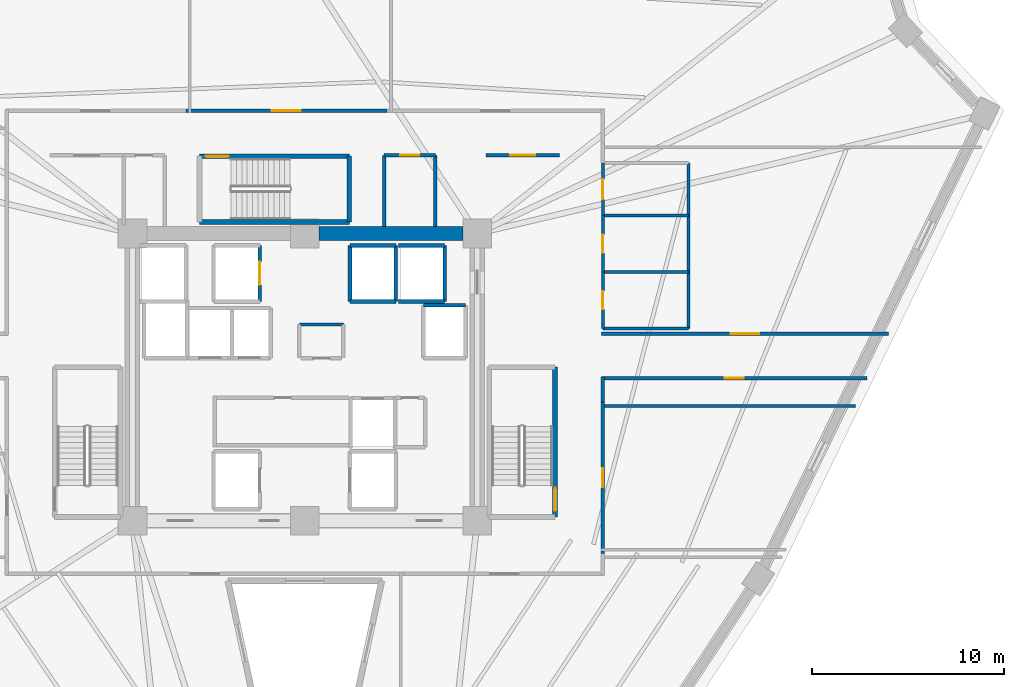
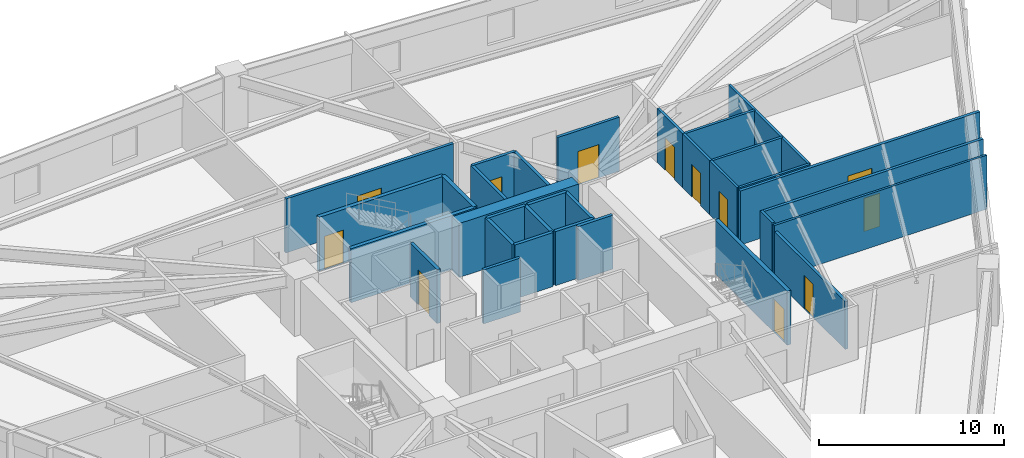
# One storey, part 6 of 8: 32 walls, 12 doors, 12 openings.
"""IFC4 building model written with IfcOpenShell, lengths in metres."""

from ifc_helpers import new_model, si_unit, direction, frame, frame_2d, origin, place, context, subcontext, project, spatial, rectangle, extrude, source, transform, mapped, material, layer, layer_set, type_object, element, fill, save


model = new_model("IFC4")

# Units and contexts
model_context = context("Model", 3, precision=1e-05, world=origin(), true_north=direction((0.0, 1.0)))
body_context = subcontext(model_context, "Body", "Model", "MODEL_VIEW")
ifc_project = project(units=[si_unit("LENGTHUNIT", "METRE"), si_unit("AREAUNIT", "SQUARE_METRE"), si_unit("VOLUMEUNIT", "CUBIC_METRE"), si_unit("PLANEANGLEUNIT", "RADIAN"), si_unit("MASSUNIT", "GRAM", prefix="KILO")], contexts=[model_context])

# Site, building, storey
site_placement = place(None, origin())
site = spatial("IfcSite", under=ifc_project, at=site_placement, CompositionType="ELEMENT")
building_placement = place(site_placement, origin())
building = spatial("IfcBuilding", under=site, at=building_placement, Name="Liaohun Quay Tower", CompositionType="ELEMENT")
storey_placement = place(building_placement, frame((0.0, 0.0, 151.5)))
storey = spatial("IfcBuildingStorey", under=building, at=storey_placement, Name="L39", CompositionType="ELEMENT", Elevation=151.5)

# Wall
ifc_material_1 = material(Name="Concrete C60", Category="concrete")
ifc_layer_1 = layer(ifc_material_1, 0.75, Name="Concrete C60", Category="concrete")
ifc_layer_set_1 = layer_set([ifc_layer_1], Name="Concrete C60")
wall_type_1 = type_object("IfcWallType", Name="WAL-COR-Z2", PredefinedType="SHEAR", material=ifc_layer_set_1)
wall_1_placement = place(storey_placement, frame((60.75, 61.5, 0.0), z_axis=(0.0, 0.0, 1.0), x_axis=(1.0, 0.0, 0.0)))
element("IfcWall", 1, at=wall_1_placement, inside=storey, type_object=wall_type_1, Name="L39 Central Core Shear Wall N-E", PredefinedType="SHEAR", context=body_context, shape_type="SweptSolid", body=[
    extrude(rectangle(XDim=7.5, YDim=0.75, at=frame_2d((3.75, 0.0))), origin(), (0.0, 0.0, 1.0), 3.570068359375),
])

# Wall, opening, door
ifc_material_2 = material(Name="Autoclaved aerated concrete blockwork", Category="masonry")
ifc_layer_2 = layer(ifc_material_2, 0.179931640625, Name="Autoclaved aerated concrete blockwork", Category="masonry")
ifc_layer_set_2 = layer_set([ifc_layer_2], Name="Autoclaved aerated concrete blockwork")
wall_type_2 = type_object("IfcWallType", Name="WAL-PRT-COR", PredefinedType="PARTITIONING", material=ifc_layer_set_2)
wall_2_placement = place(storey_placement, frame((64.139892578125, 65.580078125, 0.0), z_axis=(0.0, 0.0, 1.0), x_axis=(1.0, 0.0, 0.0)))
wall_2 = element("IfcWall", 2, at=wall_2_placement, inside=storey, type_object=wall_type_2, Name="L39 Interior Partition Wall 008", PredefinedType="PARTITIONING", context=body_context, shape_type="SweptSolid", body=[
    extrude(rectangle(XDim=2.670166015625, YDim=0.179931640625, at=frame_2d((1.3349609375, 0.0))), origin(), (0.0, 0.0, 1.0), 3.570068359375),
])
shared_shape_1 = source(origin(), body_context, "Body", "SweptSolid", [
    extrude(rectangle(XDim=1.0, YDim=2.199951171875, at=frame_2d((0.5, 1.10009765625))), frame((0.0, 0.099853515625, 0.0), z_axis=(0.0, -1.0, 0.0), x_axis=(1.0, 0.0, 0.0)), (0.0, 0.0, 1.0), 0.199951171875),
])
opening_1_placement = place(wall_2_placement, frame((0.8349609375, 0.0, 0.0)))
opening_1 = element("IfcOpeningElement", 3, at=opening_1_placement, cuts=wall_2, Name="Opening OD1", PredefinedType="OPENING", context=body_context, shape_type="MappedRepresentation", body=[
    mapped(shared_shape_1, transform((0.0, 0.0, 0.0), x_axis=(1.0, 0.0, 0.0), y_axis=(0.0, 1.0, 0.0), z_axis=(0.0, 0.0, 1.0), scale=1.0)),
])
ifc_material_3 = material(Name="Solid-core oak veneer timber leaf in steel frame", Category="steel")
door_type_1 = type_object("IfcDoorType", Name="DOR-OFF-1000", OperationType="NOTDEFINED", PredefinedType="DOOR", material=ifc_material_3)
shared_shape_2 = source(origin(), body_context, "Body", "SweptSolid", [
    extrude(rectangle(XDim=1.0, YDim=2.199951171875, at=frame_2d((0.5, 1.10009765625))), frame((0.0, 0.02490234375, 0.0), z_axis=(0.0, -1.0, 0.0), x_axis=(1.0, 0.0, 0.0)), (0.0, 0.0, 1.0), 0.050048828125),
])
door_1_placement = place(opening_1_placement, origin())
door_1 = element("IfcDoor", 4, at=door_1_placement, inside=storey, type_object=door_type_1, Name="L39 North-East Server Closet Door", OperationType="SINGLE_SWING_LEFT", OverallHeight=2.199951171875, OverallWidth=1.0, PredefinedType="DOOR", context=body_context, shape_type="MappedRepresentation", body=[
    mapped(shared_shape_2, transform((0.0, 0.0, 0.0), x_axis=(1.0, 0.0, 0.0), y_axis=(0.0, 1.0, 0.0), z_axis=(0.0, 0.0, 1.0), scale=1.0)),
])
fill(opening_1, door_1)

wall_3_placement = place(storey_placement, frame((69.4599609375, 65.580078125, 0.0), z_axis=(0.0, 0.0, 1.0), x_axis=(1.0, 0.0, 0.0)))
wall_3 = element("IfcWall", 5, at=wall_3_placement, inside=storey, type_object=wall_type_2, Name="L39 Interior Partition Wall 010", PredefinedType="PARTITIONING", context=body_context, shape_type="SweptSolid", body=[
    extrude(rectangle(XDim=3.840087890625, YDim=0.179931640625, at=frame_2d((1.919921875, 0.0))), origin(), (0.0, 0.0, 1.0), 3.570068359375),
])
shared_shape_3 = source(origin(), body_context, "Body", "SweptSolid", [
    extrude(rectangle(XDim=1.300048828125, YDim=2.199951171875, at=frame_2d((0.64990234375, 1.10009765625))), frame((0.0, 0.099853515625, 0.0), z_axis=(0.0, -1.0, 0.0), x_axis=(1.0, 0.0, 0.0)), (0.0, 0.0, 1.0), 0.199951171875),
])
opening_2_placement = place(wall_3_placement, frame((1.27001953125, 0.0, 0.0)))
opening_2 = element("IfcOpeningElement", 6, at=opening_2_placement, cuts=wall_3, Name="Opening FD1", PredefinedType="OPENING", context=body_context, shape_type="MappedRepresentation", body=[
    mapped(shared_shape_3, transform((0.0, 0.0, 0.0), x_axis=(1.0, 0.0, 0.0), y_axis=(0.0, 1.0, 0.0), z_axis=(0.0, 0.0, 1.0), scale=1.0)),
])
ifc_material_4 = material(Name="Galvanised steel smokeproof fire door", Category="steel")
door_type_2 = type_object("IfcDoorType", Name="DOR-FFL-1300", OperationType="NOTDEFINED", PredefinedType="DOOR", material=ifc_material_4)
shared_shape_4 = source(origin(), body_context, "Body", "SweptSolid", [
    extrude(rectangle(XDim=1.300048828125, YDim=2.199951171875, at=frame_2d((0.64990234375, 1.10009765625))), frame((0.0, 0.02490234375, 0.0), z_axis=(0.0, -1.0, 0.0), x_axis=(1.0, 0.0, 0.0)), (0.0, 0.0, 1.0), 0.050048828125),
])
door_2_placement = place(opening_2_placement, origin())
door_2 = element("IfcDoor", 7, at=door_2_placement, inside=storey, type_object=door_type_2, Name="L39 East Core Vestibule Door", OperationType="SINGLE_SWING_LEFT", OverallHeight=2.199951171875, OverallWidth=1.300048828125, PredefinedType="DOOR", context=body_context, shape_type="MappedRepresentation", body=[
    mapped(shared_shape_4, transform((0.0, 0.0, 0.0), x_axis=(1.0, 0.0, 0.0), y_axis=(0.0, 1.0, 0.0), z_axis=(0.0, 0.0, 1.0), scale=1.0)),
])
fill(opening_2, door_2)

wall_4_placement = place(storey_placement, frame((75.489990234375, 56.260009765625, 0.0), z_axis=(0.0, 0.0, 1.0), x_axis=(1.0, 0.0, 0.0)))
wall_4 = element("IfcWall", 8, at=wall_4_placement, inside=storey, type_object=wall_type_2, Name="L39 Interior Partition Wall 011", PredefinedType="PARTITIONING", context=body_context, shape_type="SweptSolid", body=[
    extrude(rectangle(XDim=14.98095703125, YDim=0.179931640625, at=frame_2d((7.490478515625, 0.0))), origin(), (0.0, 0.0, 1.0), 3.570068359375),
])
shared_shape_5 = source(origin(), body_context, "Body", "SweptSolid", [
    extrude(rectangle(XDim=1.5, YDim=2.199951171875, at=frame_2d((0.75, 1.10009765625))), frame((0.0, 0.099853515625, 0.0), z_axis=(0.0, -1.0, 0.0), x_axis=(1.0, 0.0, 0.0)), (0.0, 0.0, 1.0), 0.199951171875),
])
opening_3_placement = place(wall_4_placement, frame((6.740966796875, 0.0, 0.0)))
opening_3 = element("IfcOpeningElement", 9, at=opening_3_placement, cuts=wall_4, Name="Opening OD2", PredefinedType="OPENING", context=body_context, shape_type="MappedRepresentation", body=[
    mapped(shared_shape_5, transform((0.0, 0.0, 0.0), x_axis=(1.0, 0.0, 0.0), y_axis=(0.0, 1.0, 0.0), z_axis=(0.0, 0.0, 1.0), scale=1.0)),
])
ifc_material_5 = material(Name="Acoustic oak veneer double door")
door_type_3 = type_object("IfcDoorType", Name="DOR-OFF-1500", OperationType="DOUBLE_DOOR_SINGLE_SWING", PredefinedType="DOOR", material=ifc_material_5)
shared_shape_6 = source(origin(), body_context, "Body", "SweptSolid", [
    extrude(rectangle(XDim=1.5, YDim=2.199951171875, at=frame_2d((0.75, 1.10009765625))), frame((0.0, 0.02490234375, 0.0), z_axis=(0.0, -1.0, 0.0), x_axis=(1.0, 0.0, 0.0)), (0.0, 0.0, 1.0), 0.050048828125),
])
door_3_placement = place(opening_3_placement, origin())
door_3 = element("IfcDoor", 10, at=door_3_placement, inside=storey, type_object=door_type_3, Name="L39 Technical Reference Library 01 Door", OperationType="DOUBLE_DOOR_SINGLE_SWING", OverallHeight=2.199951171875, OverallWidth=1.5, PredefinedType="DOOR", context=body_context, shape_type="MappedRepresentation", body=[
    mapped(shared_shape_6, transform((0.0, 0.0, 0.0), x_axis=(1.0, 0.0, 0.0), y_axis=(0.0, 1.0, 0.0), z_axis=(0.0, 0.0, 1.0), scale=1.0)),
])
fill(opening_3, door_3)

wall_5_placement = place(storey_placement, frame((53.784912109375, 67.909912109375, 0.0), z_axis=(0.0, 0.0, 1.0), x_axis=(1.0, 0.0, 0.0)))
wall_5 = element("IfcWall", 11, at=wall_5_placement, inside=storey, type_object=wall_type_2, Name="L39 Interior Partition Wall 013", PredefinedType="PARTITIONING", context=body_context, shape_type="SweptSolid", body=[
    extrude(rectangle(XDim=10.5, YDim=0.179931640625, at=frame_2d((5.25, 0.0))), origin(), (0.0, 0.0, 1.0), 3.570068359375),
])
opening_4_placement = place(wall_5_placement, frame((4.5, 0.0, 0.0)))
opening_4 = element("IfcOpeningElement", 12, at=opening_4_placement, cuts=wall_5, Name="Opening OD2", PredefinedType="OPENING", context=body_context, shape_type="MappedRepresentation", body=[
    mapped(shared_shape_5, transform((0.0, 0.0, 0.0), x_axis=(1.0, 0.0, 0.0), y_axis=(0.0, 1.0, 0.0), z_axis=(0.0, 0.0, 1.0), scale=1.0)),
])
door_4_placement = place(opening_4_placement, origin())
door_4 = element("IfcDoor", 13, at=door_4_placement, inside=storey, type_object=door_type_3, Name="L39 Technical Reference Library 03 Door", OperationType="DOUBLE_DOOR_SINGLE_SWING", OverallHeight=2.199951171875, OverallWidth=1.5, PredefinedType="DOOR", context=body_context, shape_type="MappedRepresentation", body=[
    mapped(shared_shape_6, transform((0.0, 0.0, 0.0), x_axis=(1.0, 0.0, 0.0), y_axis=(0.0, 1.0, 0.0), z_axis=(0.0, 0.0, 1.0), scale=1.0)),
])
fill(opening_4, door_4)

wall_6_placement = place(storey_placement, frame((75.56005859375, 52.715087890625, 0.0), z_axis=(0.0, 0.0, 1.0), x_axis=(0.0, -1.0, 0.0)))
wall_6 = element("IfcWall", 14, at=wall_6_placement, inside=storey, type_object=wall_type_2, Name="L39 Interior Partition Wall 020", PredefinedType="PARTITIONING", context=body_context, shape_type="SweptSolid", body=[
    extrude(rectangle(XDim=7.93017578125, YDim=0.179931640625, at=frame_2d((3.965087890625, 0.0))), origin(), (0.0, 0.0, 1.0), 3.155029296875),
])
opening_5_placement = place(wall_6_placement, frame((3.465087890625, 0.0, 0.0)))
opening_5 = element("IfcOpeningElement", 15, at=opening_5_placement, cuts=wall_6, Name="Opening OD1", PredefinedType="OPENING", context=body_context, shape_type="MappedRepresentation", body=[
    mapped(shared_shape_1, transform((0.0, 0.0, 0.0), x_axis=(1.0, 0.0, 0.0), y_axis=(0.0, 1.0, 0.0), z_axis=(0.0, 0.0, 1.0), scale=1.0)),
])
door_5_placement = place(opening_5_placement, origin())
door_5 = element("IfcDoor", 16, at=door_5_placement, inside=storey, type_object=door_type_1, Name="L39 Open-Plan Office Workplace 10 Door", OperationType="SINGLE_SWING_LEFT", OverallHeight=2.199951171875, OverallWidth=1.0, PredefinedType="DOOR", context=body_context, shape_type="MappedRepresentation", body=[
    mapped(shared_shape_2, transform((0.0, 0.0, 0.0), x_axis=(1.0, 0.0, 0.0), y_axis=(0.0, 1.0, 0.0), z_axis=(0.0, 0.0, 1.0), scale=1.0)),
])
fill(opening_5, door_5)

wall_7_placement = place(storey_placement, frame((89.343017578125, 53.93994140625, 0.0), z_axis=(0.0, 0.0, 1.0), x_axis=(-1.0, 0.0, 0.0)))
wall_7 = element("IfcWall", 17, at=wall_7_placement, inside=storey, type_object=wall_type_2, Name="L39 Interior Partition Wall 021", PredefinedType="PARTITIONING", context=body_context, shape_type="SweptSolid", body=[
    extrude(rectangle(XDim=13.85302734375, YDim=0.179931640625, at=frame_2d((6.926513671875, 0.0))), origin(), (0.0, 0.0, 1.0), 3.570068359375),
])
opening_6_placement = place(wall_7_placement, frame((6.427001953125, 0.0, 0.0)))
opening_6 = element("IfcOpeningElement", 18, at=opening_6_placement, cuts=wall_7, Name="Opening OD1", PredefinedType="OPENING", context=body_context, shape_type="MappedRepresentation", body=[
    mapped(shared_shape_1, transform((0.0, 0.0, 0.0), x_axis=(1.0, 0.0, 0.0), y_axis=(0.0, 1.0, 0.0), z_axis=(0.0, 0.0, 1.0), scale=1.0)),
])
door_6_placement = place(opening_6_placement, origin())
door_6 = element("IfcDoor", 19, at=door_6_placement, inside=storey, type_object=door_type_1, Name="L39 Executive Partner Office 11 Door", OperationType="SINGLE_SWING_RIGHT", OverallHeight=2.199951171875, OverallWidth=1.0, PredefinedType="DOOR", context=body_context, shape_type="MappedRepresentation", body=[
    mapped(shared_shape_2, transform((0.0, 0.0, 0.0), x_axis=(1.0, 0.0, 0.0), y_axis=(0.0, 1.0, 0.0), z_axis=(0.0, 0.0, 1.0), scale=1.0)),
])
fill(opening_6, door_6)

# Walls
wall_8_placement = place(storey_placement, frame((59.719970703125, 56.75, 0.0), z_axis=(0.0, 0.0, 1.0), x_axis=(1.0, 0.0, 0.0)))
element("IfcWall", 20, at=wall_8_placement, inside=storey, type_object=wall_type_2, Name="L39 Interior Partition Wall 024", PredefinedType="PARTITIONING", context=body_context, shape_type="SweptSolid", body=[
    extrude(rectangle(XDim=2.2900390625, YDim=0.179931640625, at=frame_2d((1.14501953125, 0.0))), origin(), (0.0, 0.0, 1.0), 3.570068359375),
])
for number, where, z_axis, x_axis, name in (
    (21, (64.139892578125, 61.875, 0.0), (0.0, 0.0, 1.0), (0.0, 1.0, 0.0), "L39 Interior Partition Wall 034"),
    (22, (66.81005859375, 61.875, 0.0), (0.0, 0.0, 1.0), (0.0, 1.0, 0.0), "L39 Interior Partition Wall 035"),
):
    element("IfcWall", number, at=place(storey_placement, frame(where, z_axis=z_axis, x_axis=x_axis)), inside=storey, type_object=wall_type_2, Name=name, PredefinedType="PARTITIONING", context=body_context, shape_type="SweptSolid", body=[
        extrude(rectangle(XDim=3.705078125, YDim=0.179931640625, at=frame_2d((1.8525390625, 0.0))), origin(), (0.0, 0.0, 1.0), 3.570068359375),
    ])
wall_9_placement = place(storey_placement, frame((75.56005859375, 54.010009765625, 0.0), z_axis=(0.0, 0.0, 1.0), x_axis=(0.0, -1.0, 0.0)))
element("IfcWall", 23, at=wall_9_placement, inside=storey, type_object=wall_type_2, Name="L39 Interior Partition Wall 043", PredefinedType="PARTITIONING", context=body_context, shape_type="SweptSolid", body=[
    extrude(rectangle(XDim=1.294921875, YDim=0.179931640625, at=frame_2d((0.6474609375, 0.0))), origin(), (0.0, 0.0, 1.0), 3.570068359375),
])
ifc_material_6 = material(Name="Gypsum board on twin steel studs", Category="steel")
ifc_layer_3 = layer(ifc_material_6, 0.139892578125, Name="Gypsum board on twin steel studs", Category="steel")
ifc_layer_set_3 = layer_set([ifc_layer_3], Name="Gypsum board on twin steel studs")
wall_type_3 = type_object("IfcWallType", Name="WAL-PRT-OFF", PredefinedType="PARTITIONING", material=ifc_layer_set_3)
wall_10_placement = place(storey_placement, frame((75.4599609375, 52.5, 0.0), z_axis=(0.0, 0.0, 1.0), x_axis=(1.0, 0.0, 0.0)))
element("IfcWall", 24, at=wall_10_placement, inside=storey, type_object=wall_type_3, Name="L39 Interior Partition Wall 049", PredefinedType="PARTITIONING", context=body_context, shape_type="SweptSolid", body=[
    extrude(rectangle(XDim=13.291015625, YDim=0.139892578125, at=frame_2d((6.6455078125, 0.0))), origin(), (0.0, 0.0, 1.0), 3.570068359375),
])

# Wall, opening, door
ifc_material_7 = material(Name="Moisture-resistant masonry blockwork", Category="masonry")
ifc_layer_4 = layer(ifc_material_7, 0.159912109375, Name="Moisture-resistant masonry blockwork", Category="masonry")
ifc_layer_set_4 = layer_set([ifc_layer_4], Name="Moisture-resistant masonry blockwork")
wall_type_4 = type_object("IfcWallType", Name="WAL-PRT-WET", PredefinedType="PARTITIONING", material=ifc_layer_set_4)
wall_11_placement = place(storey_placement, frame((75.56005859375, 56.5400390625, 0.0), z_axis=(0.0, 0.0, 1.0), x_axis=(0.0, 1.0, 0.0)))
wall_11 = element("IfcWall", 25, at=wall_11_placement, inside=storey, type_object=wall_type_4, Name="L39 Interior Partition Wall 004", PredefinedType="PARTITIONING", context=body_context, shape_type="SweptSolid", body=[
    extrude(rectangle(XDim=2.93994140625, YDim=0.159912109375, at=frame_2d((1.469970703125, 0.0))), origin(), (0.0, 0.0, 1.0), 3.570068359375),
])
shared_shape_7 = source(origin(), body_context, "Body", "SweptSolid", [
    extrude(rectangle(XDim=0.949951171875, YDim=2.14990234375, at=frame_2d((0.47509765625, 1.074951171875))), frame((0.0, 0.08984375, 0.0), z_axis=(0.0, -1.0, 0.0), x_axis=(1.0, 0.0, 0.0)), (0.0, 0.0, 1.0), 0.179931640625),
])
opening_7_placement = place(wall_11_placement, frame((0.9951171875, 0.0, 0.0)))
opening_7 = element("IfcOpeningElement", 26, at=opening_7_placement, cuts=wall_11, Name="Opening WD1", PredefinedType="OPENING", context=body_context, shape_type="MappedRepresentation", body=[
    mapped(shared_shape_7, transform((0.0, 0.0, 0.0), x_axis=(1.0, 0.0, 0.0), y_axis=(0.0, 1.0, 0.0), z_axis=(0.0, 0.0, 1.0), scale=1.0)),
])
ifc_material_8 = material(Name="Moisture-resistant laminate timber leaf", Category="wood")
door_type_4 = type_object("IfcDoorType", Name="DOR-WC-950", OperationType="NOTDEFINED", PredefinedType="DOOR", material=ifc_material_8)
shared_shape_8 = source(origin(), body_context, "Body", "SweptSolid", [
    extrude(rectangle(XDim=0.949951171875, YDim=2.14990234375, at=frame_2d((0.47509765625, 1.074951171875))), frame((0.0, 0.02490234375, 0.0), z_axis=(0.0, -1.0, 0.0), x_axis=(1.0, 0.0, 0.0)), (0.0, 0.0, 1.0), 0.050048828125),
])
door_7_placement = place(opening_7_placement, origin())
door_7 = element("IfcDoor", 27, at=door_7_placement, inside=storey, type_object=door_type_4, Name="L39 Male Restroom WC Door", OperationType="SINGLE_SWING_LEFT", OverallHeight=2.14990234375, OverallWidth=0.949951171875, PredefinedType="DOOR", context=body_context, shape_type="MappedRepresentation", body=[
    mapped(shared_shape_8, transform((0.0, 0.0, 0.0), x_axis=(1.0, 0.0, 0.0), y_axis=(0.0, 1.0, 0.0), z_axis=(0.0, 0.0, 1.0), scale=1.0)),
])
fill(opening_7, door_7)

wall_12_placement = place(storey_placement, frame((75.56005859375, 59.47998046875, 0.0), z_axis=(0.0, 0.0, 1.0), x_axis=(0.0, 1.0, 0.0)))
wall_12 = element("IfcWall", 28, at=wall_12_placement, inside=storey, type_object=wall_type_4, Name="L39 Interior Partition Wall 005", PredefinedType="PARTITIONING", context=body_context, shape_type="SweptSolid", body=[
    extrude(rectangle(XDim=2.9599609375, YDim=0.159912109375, at=frame_2d((1.47998046875, 0.0))), origin(), (0.0, 0.0, 1.0), 3.570068359375),
])
opening_8_placement = place(wall_12_placement, frame((1.0048828125, 0.0, 0.0)))
opening_8 = element("IfcOpeningElement", 29, at=opening_8_placement, cuts=wall_12, Name="Opening WD1", PredefinedType="OPENING", context=body_context, shape_type="MappedRepresentation", body=[
    mapped(shared_shape_7, transform((0.0, 0.0, 0.0), x_axis=(1.0, 0.0, 0.0), y_axis=(0.0, 1.0, 0.0), z_axis=(0.0, 0.0, 1.0), scale=1.0)),
])
door_8_placement = place(opening_8_placement, origin())
door_8 = element("IfcDoor", 30, at=door_8_placement, inside=storey, type_object=door_type_4, Name="L39 Female Restroom WC Door", OperationType="SINGLE_SWING_RIGHT", OverallHeight=2.14990234375, OverallWidth=0.949951171875, PredefinedType="DOOR", context=body_context, shape_type="MappedRepresentation", body=[
    mapped(shared_shape_8, transform((0.0, 0.0, 0.0), x_axis=(1.0, 0.0, 0.0), y_axis=(0.0, 1.0, 0.0), z_axis=(0.0, 0.0, 1.0), scale=1.0)),
])
fill(opening_8, door_8)

wall_13_placement = place(storey_placement, frame((75.56005859375, 62.43994140625, 0.0), z_axis=(0.0, 0.0, 1.0), x_axis=(0.0, 1.0, 0.0)))
wall_13 = element("IfcWall", 31, at=wall_13_placement, inside=storey, type_object=wall_type_4, Name="L39 Interior Partition Wall 006", PredefinedType="PARTITIONING", context=body_context, shape_type="SweptSolid", body=[
    extrude(rectangle(XDim=2.739990234375, YDim=0.159912109375, at=frame_2d((1.3701171875, 0.0))), origin(), (0.0, 0.0, 1.0), 3.570068359375),
])
shared_shape_9 = source(origin(), body_context, "Body", "SweptSolid", [
    extrude(rectangle(XDim=1.050048828125, YDim=2.14990234375, at=frame_2d((0.52490234375, 1.074951171875))), frame((0.0, 0.08984375, 0.0), z_axis=(0.0, -1.0, 0.0), x_axis=(1.0, 0.0, 0.0)), (0.0, 0.0, 1.0), 0.179931640625),
])
opening_9_placement = place(wall_13_placement, frame((0.844970703125, 0.0, 0.0)))
opening_9 = element("IfcOpeningElement", 32, at=opening_9_placement, cuts=wall_13, Name="Opening WD2", PredefinedType="OPENING", context=body_context, shape_type="MappedRepresentation", body=[
    mapped(shared_shape_9, transform((0.0, 0.0, 0.0), x_axis=(1.0, 0.0, 0.0), y_axis=(0.0, 1.0, 0.0), z_axis=(0.0, 0.0, 1.0), scale=1.0)),
])
ifc_material_9 = material(Name="Accessible outward-swinging laminate door")
door_type_5 = type_object("IfcDoorType", Name="DOR-AWC-1050", OperationType="NOTDEFINED", PredefinedType="DOOR", material=ifc_material_9)
shared_shape_10 = source(origin(), body_context, "Body", "SweptSolid", [
    extrude(rectangle(XDim=1.050048828125, YDim=2.14990234375, at=frame_2d((0.52490234375, 1.074951171875))), frame((0.0, 0.02490234375, 0.0), z_axis=(0.0, -1.0, 0.0), x_axis=(1.0, 0.0, 0.0)), (0.0, 0.0, 1.0), 0.050048828125),
])
door_9_placement = place(opening_9_placement, origin())
door_9 = element("IfcDoor", 33, at=door_9_placement, inside=storey, type_object=door_type_5, Name="L39 Accessible WC Door", OperationType="SINGLE_SWING_LEFT", OverallHeight=2.14990234375, OverallWidth=1.050048828125, PredefinedType="DOOR", context=body_context, shape_type="MappedRepresentation", body=[
    mapped(shared_shape_10, transform((0.0, 0.0, 0.0), x_axis=(1.0, 0.0, 0.0), y_axis=(0.0, 1.0, 0.0), z_axis=(0.0, 0.0, 1.0), scale=1.0)),
])
fill(opening_9, door_9)

# Walls
wall_14_placement = place(storey_placement, frame((80.02001953125, 56.5400390625, 0.0), z_axis=(0.0, 0.0, 1.0), x_axis=(0.0, 1.0, 0.0)))
element("IfcWall", 34, at=wall_14_placement, inside=storey, type_object=wall_type_4, Name="L39 Interior Partition Wall 027", PredefinedType="PARTITIONING", context=body_context, shape_type="SweptSolid", body=[
    extrude(rectangle(XDim=8.639892578125, YDim=0.159912109375, at=frame_2d((4.31982421875, 0.0))), origin(), (0.0, 0.0, 1.0), 3.570068359375),
])
for number, where, z_axis, x_axis, name in (
    (35, (75.56005859375, 56.5400390625, 0.0), (0.0, 0.0, 1.0), (1.0, 0.0, 0.0), "L39 Interior Partition Wall 028"),
    (36, (75.56005859375, 59.47998046875, 0.0), (0.0, 0.0, 1.0), (1.0, 0.0, 0.0), "L39 Interior Partition Wall 029"),
    (37, (75.56005859375, 62.43994140625, 0.0), (0.0, 0.0, 1.0), (1.0, 0.0, 0.0), "L39 Interior Partition Wall 030"),
):
    element("IfcWall", number, at=place(storey_placement, frame(where, z_axis=z_axis, x_axis=x_axis)), inside=storey, type_object=wall_type_4, Name=name, PredefinedType="PARTITIONING", context=body_context, shape_type="SweptSolid", body=[
        extrude(rectangle(XDim=4.4599609375, YDim=0.159912109375, at=frame_2d((2.22998046875, 0.0))), origin(), (0.0, 0.0, 1.0), 3.570068359375),
    ])

# Wall, opening, door
ifc_material_10 = material(Name="Concrete C50", Category="concrete")
ifc_layer_5 = layer(ifc_material_10, 0.239990234375, Name="Concrete C50", Category="concrete")
ifc_layer_set_5 = layer_set([ifc_layer_5], Name="Concrete C50")
wall_type_5 = type_object("IfcWallType", Name="WAL-SHF-200", PredefinedType="SOLIDWALL", material=ifc_layer_set_5)
wall_15_placement = place(storey_placement, frame((73.06005859375, 46.699951171875, 0.0), z_axis=(0.0, 0.0, 1.0), x_axis=(0.0, 1.0, 0.0)))
wall_15 = element("IfcWall", 38, at=wall_15_placement, inside=storey, type_object=wall_type_5, Name="L39 Stairwell ST-2 Structural Core Wall E", PredefinedType="SOLIDWALL", context=body_context, shape_type="SweptSolid", body=[
    extrude(rectangle(XDim=7.820068359375, YDim=0.239990234375, at=frame_2d((3.91015625, 0.0))), origin(), (0.0, 0.0, 1.0), 3.570068359375),
])
shared_shape_11 = source(origin(), body_context, "Body", "SweptSolid", [
    extrude(rectangle(XDim=1.199951171875, YDim=2.199951171875, at=frame_2d((0.60009765625, 1.10009765625))), frame((0.0, 0.1298828125, 0.0), z_axis=(0.0, -1.0, 0.0), x_axis=(1.0, 0.0, 0.0)), (0.0, 0.0, 1.0), 0.260009765625),
])
opening_10_placement = place(wall_15_placement, frame((0.320068359375, 0.0, 0.0)))
opening_10 = element("IfcOpeningElement", 39, at=opening_10_placement, cuts=wall_15, Name="Opening SD1", PredefinedType="OPENING", context=body_context, shape_type="MappedRepresentation", body=[
    mapped(shared_shape_11, transform((0.0, 0.0, 0.0), x_axis=(1.0, 0.0, 0.0), y_axis=(0.0, 1.0, 0.0), z_axis=(0.0, 0.0, 1.0), scale=1.0)),
])
ifc_material_11 = material(Name="Galvanised steel fire door", Category="steel")
door_type_6 = type_object("IfcDoorType", Name="DOR-STR-1200", OperationType="NOTDEFINED", PredefinedType="DOOR", material=ifc_material_11)
shared_shape_12 = source(origin(), body_context, "Body", "SweptSolid", [
    extrude(rectangle(XDim=1.199951171875, YDim=2.199951171875, at=frame_2d((0.60009765625, 1.10009765625))), frame((0.0, 0.02490234375, 0.0), z_axis=(0.0, -1.0, 0.0), x_axis=(1.0, 0.0, 0.0)), (0.0, 0.0, 1.0), 0.050048828125),
])
door_10_placement = place(opening_10_placement, origin())
door_10 = element("IfcDoor", 40, at=door_10_placement, inside=storey, type_object=door_type_6, Name="L39 Protected Stair ST-2 Fire Door", OperationType="SINGLE_SWING_RIGHT", OverallHeight=2.199951171875, OverallWidth=1.199951171875, PredefinedType="DOOR", context=body_context, shape_type="MappedRepresentation", body=[
    mapped(shared_shape_12, transform((0.0, 0.0, 0.0), x_axis=(1.0, 0.0, 0.0), y_axis=(0.0, 1.0, 0.0), z_axis=(0.0, 0.0, 1.0), scale=1.0)),
])
fill(opening_10, door_10)

# Walls
wall_16_placement = place(storey_placement, frame((54.5, 62.10009765625, 0.0), z_axis=(0.0, 0.0, 1.0), x_axis=(1.0, 0.0, 0.0)))
element("IfcWall", 41, at=wall_16_placement, inside=storey, type_object=wall_type_5, Name="L39 Stairwell ST-3 Structural Core Wall S", PredefinedType="SOLIDWALL", context=body_context, shape_type="SweptSolid", body=[
    extrude(rectangle(XDim=7.820068359375, YDim=0.239990234375, at=frame_2d((3.91015625, 0.0))), origin(), (0.0, 0.0, 1.0), 3.570068359375),
])
wall_17_placement = place(storey_placement, frame((62.320068359375, 62.10009765625, 0.0), z_axis=(0.0, 0.0, 1.0), x_axis=(0.0, 1.0, 0.0)))
element("IfcWall", 42, at=wall_17_placement, inside=storey, type_object=wall_type_5, Name="L39 Stairwell ST-3 Structural Core Wall E", PredefinedType="SOLIDWALL", context=body_context, shape_type="SweptSolid", body=[
    extrude(rectangle(XDim=3.43994140625, YDim=0.239990234375, at=frame_2d((1.719970703125, 0.0))), origin(), (0.0, 0.0, 1.0), 3.570068359375),
])

# Wall, opening, door
wall_18_placement = place(storey_placement, frame((62.320068359375, 65.5400390625, 0.0), z_axis=(0.0, 0.0, 1.0), x_axis=(-1.0, 0.0, 0.0)))
wall_18 = element("IfcWall", 43, at=wall_18_placement, inside=storey, type_object=wall_type_5, Name="L39 Stairwell ST-3 Structural Core Wall N", PredefinedType="SOLIDWALL", context=body_context, shape_type="SweptSolid", body=[
    extrude(rectangle(XDim=7.820068359375, YDim=0.239990234375, at=frame_2d((3.91015625, 0.0))), origin(), (0.0, 0.0, 1.0), 3.570068359375),
])
opening_11_placement = place(wall_18_placement, frame((6.300048828125, 0.0, 0.0)))
opening_11 = element("IfcOpeningElement", 44, at=opening_11_placement, cuts=wall_18, Name="Opening SD1", PredefinedType="OPENING", context=body_context, shape_type="MappedRepresentation", body=[
    mapped(shared_shape_11, transform((0.0, 0.0, 0.0), x_axis=(1.0, 0.0, 0.0), y_axis=(0.0, 1.0, 0.0), z_axis=(0.0, 0.0, 1.0), scale=1.0)),
])
door_11_placement = place(opening_11_placement, origin())
door_11 = element("IfcDoor", 45, at=door_11_placement, inside=storey, type_object=door_type_6, Name="L39 Protected Stair ST-3 Fire Door", OperationType="SINGLE_SWING_RIGHT", OverallHeight=2.199951171875, OverallWidth=1.199951171875, PredefinedType="DOOR", context=body_context, shape_type="MappedRepresentation", body=[
    mapped(shared_shape_12, transform((0.0, 0.0, 0.0), x_axis=(1.0, 0.0, 0.0), y_axis=(0.0, 1.0, 0.0), z_axis=(0.0, 0.0, 1.0), scale=1.0)),
])
fill(opening_11, door_11)

wall_19_placement = place(storey_placement, frame((57.64990234375, 57.949951171875, 0.0), z_axis=(0.0, 0.0, 1.0), x_axis=(0.0, 1.0, 0.0)))
wall_19 = element("IfcWall", 46, at=wall_19_placement, inside=storey, type_object=wall_type_5, Name="L39 Lift FF-03 Hoistway Wall E", PredefinedType="SOLIDWALL", context=body_context, shape_type="SweptSolid", body=[
    extrude(rectangle(XDim=2.929931640625, YDim=0.199951171875, at=frame_2d((1.46484375, 0.0))), origin(), (0.0, 0.0, 1.0), 3.570068359375),
])
shared_shape_13 = source(origin(), body_context, "Body", "SweptSolid", [
    extrude(rectangle(XDim=1.199951171875, YDim=2.300048828125, at=frame_2d((0.60009765625, 1.14990234375))), frame((0.0, 0.10986328125, 0.0), z_axis=(0.0, -1.0, 0.0), x_axis=(1.0, 0.0, 0.0)), (0.0, 0.0, 1.0), 0.219970703125),
])
opening_12_placement = place(wall_19_placement, frame((0.864990234375, 0.0, 0.0)))
opening_12 = element("IfcOpeningElement", 47, at=opening_12_placement, cuts=wall_19, Name="Opening LD2", PredefinedType="OPENING", context=body_context, shape_type="MappedRepresentation", body=[
    mapped(shared_shape_13, transform((0.0, 0.0, 0.0), x_axis=(1.0, 0.0, 0.0), y_axis=(0.0, 1.0, 0.0), z_axis=(0.0, 0.0, 1.0), scale=1.0)),
])
ifc_material_12 = material(Name="Brushed stainless steel stretcher landing door", Category="steel")
door_type_7 = type_object("IfcDoorType", Name="DOR-LFT-1200", OperationType="SLIDING_TO_LEFT", PredefinedType="DOOR", material=ifc_material_12)
shared_shape_14 = source(origin(), body_context, "Body", "SweptSolid", [
    extrude(rectangle(XDim=1.199951171875, YDim=2.300048828125, at=frame_2d((0.60009765625, 1.14990234375))), frame((0.0, 0.02490234375, 0.0), z_axis=(0.0, -1.0, 0.0), x_axis=(1.0, 0.0, 0.0)), (0.0, 0.0, 1.0), 0.050048828125),
])
door_12_placement = place(opening_12_placement, origin())
door_12 = element("IfcDoor", 48, at=door_12_placement, inside=storey, type_object=door_type_7, Name="L39 Lift FF-03 Sliding Landing Door", OperationType="SLIDING_TO_LEFT", OverallHeight=2.300048828125, OverallWidth=1.199951171875, PredefinedType="DOOR", context=body_context, shape_type="MappedRepresentation", body=[
    mapped(shared_shape_14, transform((0.0, 0.0, 0.0), x_axis=(1.0, 0.0, 0.0), y_axis=(0.0, 1.0, 0.0), z_axis=(0.0, 0.0, 1.0), scale=1.0)),
])
fill(opening_12, door_12)

# Walls
wall_20_placement = place(storey_placement, frame((62.35009765625, 57.949951171875, 0.0), z_axis=(0.0, 0.0, 1.0), x_axis=(1.0, 0.0, 0.0)))
element("IfcWall", 49, at=wall_20_placement, inside=storey, type_object=wall_type_5, Name="L39 Lift OB-01 Hoistway Wall S", PredefinedType="SOLIDWALL", context=body_context, shape_type="SweptSolid", body=[
    extrude(rectangle(XDim=2.39990234375, YDim=0.199951171875, at=frame_2d((1.199951171875, 0.0))), origin(), (0.0, 0.0, 1.0), 3.570068359375),
])
wall_21_placement = place(storey_placement, frame((64.75, 57.949951171875, 0.0), z_axis=(0.0, 0.0, 1.0), x_axis=(0.0, 1.0, 0.0)))
element("IfcWall", 50, at=wall_21_placement, inside=storey, type_object=wall_type_5, Name="L39 Lift OB-01 Hoistway Wall E", PredefinedType="SOLIDWALL", context=body_context, shape_type="SweptSolid", body=[
    extrude(rectangle(XDim=2.929931640625, YDim=0.199951171875, at=frame_2d((1.46484375, 0.0))), origin(), (0.0, 0.0, 1.0), 3.570068359375),
])
wall_22_placement = place(storey_placement, frame((64.75, 60.8798828125, 0.0), z_axis=(0.0, 0.0, 1.0), x_axis=(-1.0, 0.0, 0.0)))
element("IfcWall", 51, at=wall_22_placement, inside=storey, type_object=wall_type_5, Name="L39 Lift OB-01 Hoistway Wall N", PredefinedType="SOLIDWALL", context=body_context, shape_type="SweptSolid", body=[
    extrude(rectangle(XDim=2.39990234375, YDim=0.199951171875, at=frame_2d((1.199951171875, 0.0))), origin(), (0.0, 0.0, 1.0), 3.570068359375),
])
wall_23_placement = place(storey_placement, frame((62.35009765625, 60.8798828125, 0.0), z_axis=(0.0, 0.0, 1.0), x_axis=(0.0, -1.0, 0.0)))
element("IfcWall", 52, at=wall_23_placement, inside=storey, type_object=wall_type_5, Name="L39 Lift OB-01 Hoistway Wall W", PredefinedType="SOLIDWALL", context=body_context, shape_type="SweptSolid", body=[
    extrude(rectangle(XDim=2.929931640625, YDim=0.199951171875, at=frame_2d((1.46484375, 0.0))), origin(), (0.0, 0.0, 1.0), 3.570068359375),
])
wall_24_placement = place(storey_placement, frame((64.89990234375, 57.949951171875, 0.0), z_axis=(0.0, 0.0, 1.0), x_axis=(1.0, 0.0, 0.0)))
element("IfcWall", 53, at=wall_24_placement, inside=storey, type_object=wall_type_5, Name="L39 Lift OB-02 Hoistway Wall S", PredefinedType="SOLIDWALL", context=body_context, shape_type="SweptSolid", body=[
    extrude(rectangle(XDim=2.400146484375, YDim=0.199951171875, at=frame_2d((1.2001953125, 0.0))), origin(), (0.0, 0.0, 1.0), 3.570068359375),
])
wall_25_placement = place(storey_placement, frame((67.300048828125, 57.949951171875, 0.0), z_axis=(0.0, 0.0, 1.0), x_axis=(0.0, 1.0, 0.0)))
element("IfcWall", 54, at=wall_25_placement, inside=storey, type_object=wall_type_5, Name="L39 Lift OB-02 Hoistway Wall E", PredefinedType="SOLIDWALL", context=body_context, shape_type="SweptSolid", body=[
    extrude(rectangle(XDim=2.929931640625, YDim=0.199951171875, at=frame_2d((1.46484375, 0.0))), origin(), (0.0, 0.0, 1.0), 3.570068359375),
])
wall_26_placement = place(storey_placement, frame((67.300048828125, 60.8798828125, 0.0), z_axis=(0.0, 0.0, 1.0), x_axis=(-1.0, 0.0, 0.0)))
element("IfcWall", 55, at=wall_26_placement, inside=storey, type_object=wall_type_5, Name="L39 Lift OB-02 Hoistway Wall N", PredefinedType="SOLIDWALL", context=body_context, shape_type="SweptSolid", body=[
    extrude(rectangle(XDim=2.400146484375, YDim=0.199951171875, at=frame_2d((1.2001953125, 0.0))), origin(), (0.0, 0.0, 1.0), 3.570068359375),
])
wall_27_placement = place(storey_placement, frame((68.3798828125, 57.75, 0.0), z_axis=(0.0, 0.0, 1.0), x_axis=(-1.0, 0.0, 0.0)))
element("IfcWall", 56, at=wall_27_placement, inside=storey, type_object=wall_type_5, Name="L39 Lift SH-03 Hoistway Wall N", PredefinedType="SOLIDWALL", context=body_context, shape_type="SweptSolid", body=[
    extrude(rectangle(XDim=2.179931640625, YDim=0.199951171875, at=frame_2d((1.08984375, 0.0))), origin(), (0.0, 0.0, 1.0), 3.570068359375),
])

save(model, "model.ifc")
